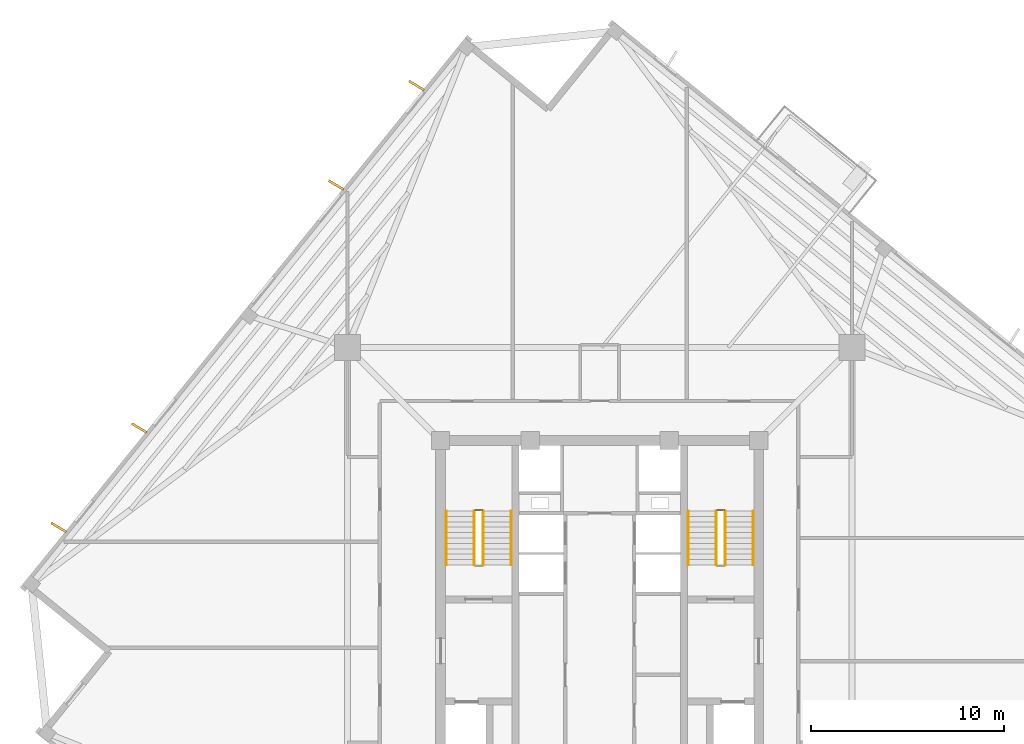
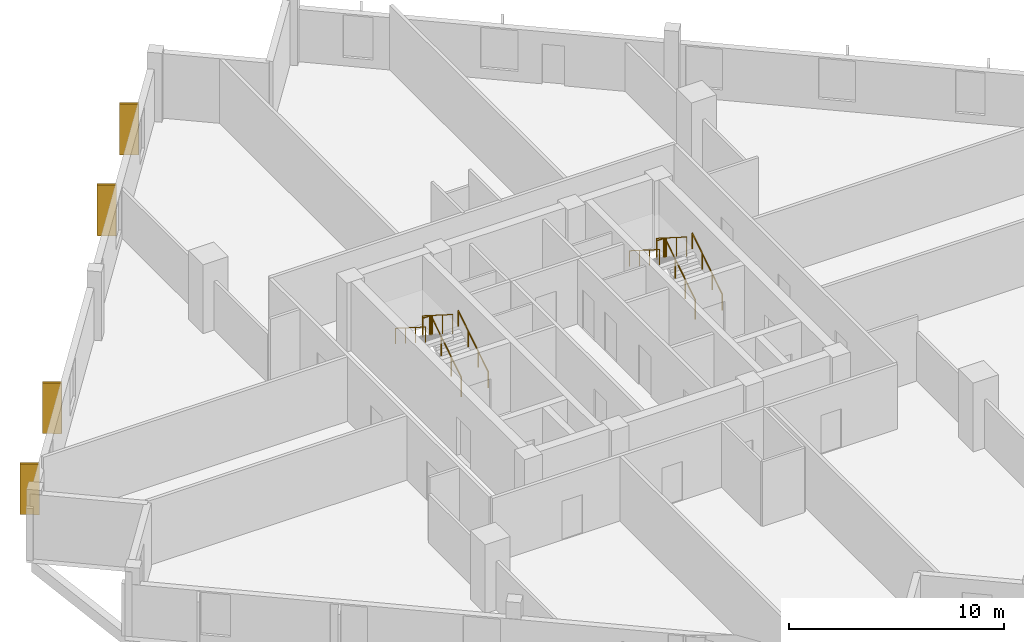
# One storey, part 9 of 10: 10 railings, 4 coverings.
"""IFC4 building model written with IfcOpenShell, lengths in metres."""

from ifc_helpers import new_model, si_unit, direction, frame, origin, origin_2d, place, context, subcontext, project, spatial, rectangle, circle, extrude, source, transform, mapped, material, layer, layer_set, type_object, element, save


model = new_model("IFC4")

# Units and contexts
model_context = context("Model", 3, precision=1e-05, world=origin(), true_north=direction((0.0, 1.0)))
body_context = subcontext(model_context, "Body", "Model", "MODEL_VIEW")
ifc_project = project(units=[si_unit("LENGTHUNIT", "METRE"), si_unit("AREAUNIT", "SQUARE_METRE"), si_unit("VOLUMEUNIT", "CUBIC_METRE"), si_unit("PLANEANGLEUNIT", "RADIAN"), si_unit("MASSUNIT", "GRAM", prefix="KILO"), si_unit("THERMODYNAMICTEMPERATUREUNIT", "KELVIN")], contexts=[model_context])

# Site, building, storey
site_placement = place(None, origin())
site = spatial("IfcSite", under=ifc_project, at=site_placement, CompositionType="ELEMENT")
building_placement = place(site_placement, origin())
building = spatial("IfcBuilding", under=site, at=building_placement, Name="Kosmvard Interchange Tower", CompositionType="ELEMENT")
storey_placement = place(building_placement, frame((0.0, 0.0, 240.699951171875)))
storey = spatial("IfcBuildingStorey", under=building, at=storey_placement, Name="L58", CompositionType="ELEMENT", Elevation=240.699951171875)

# Coverings
ifc_material_1 = material(Name="Architectural anodised aluminium", Category="aluminium")
ifc_layer = layer(ifc_material_1, 0.1201171875, Name="Architectural anodised aluminium")
ifc_layer_set = layer_set([ifc_layer], Name="Architectural anodised aluminium")
covering_type = type_object("IfcCoveringType", Name="Rotating Vertical Sun-Breaker Fin 900x120 Aluminium", PredefinedType="CLADDING", material=ifc_layer_set)
shared_shape_1 = source(origin(), body_context, "Body", "SweptSolid", [
    extrude(rectangle(XDim=0.89990234375, YDim=0.1201171875, at=origin_2d()), origin(), (0.0, 0.0, 1.0), 2.8798828125),
])
for number, where, z_axis, x_axis, name in (
    (1, (-9.494384765625, 26.650146484375, 0.0400390625), (0.0, 0.0, 1.0), (-0.856176919486, 0.516682767798, 0.0), "L58 Rotating Vertical Sun-Breaker Fin 09"),
    (2, (-13.66748046875, 21.49658203125, 0.0400390625), (0.0, 0.0, 1.0), (-0.856176919486, 0.516682767798, 0.0), "L58 Rotating Vertical Sun-Breaker Fin 10"),
    (3, (-23.86865234375, 8.8994140625, 0.0400390625), (0.0, 0.0, 1.0), (-0.856176919486, 0.516682767798, 0.0), "L58 Rotating Vertical Sun-Breaker Fin 11"),
    (4, (-28.041748046875, 3.74609375, 0.0400390625), (0.0, 0.0, 1.0), (-0.856176919486, 0.516682767798, 0.0), "L58 Rotating Vertical Sun-Breaker Fin 12"),
):
    element("IfcCovering", number, at=place(storey_placement, frame(where, z_axis=z_axis, x_axis=x_axis)), inside=storey, type_object=covering_type, Name=name, PredefinedType="CLADDING", context=body_context, shape_type="MappedRepresentation", body=[
        mapped(shared_shape_1, transform((0.0, 0.0, 0.0), scale=1.0)),
    ])

# Railings
ifc_material_2 = material(Name="Steel S355", Category="steel")
railing_type_1 = type_object("IfcRailingType", Name="Stair & Terrace Safety Guardrail 1100 Steel", PredefinedType="GUARDRAIL", material=ifc_material_2)
shared_shape_2 = source(origin(), body_context, "Body", "SweptSolid", [
    extrude(circle(Radius=0.02392578125, at=origin_2d()), frame((0.0, 0.0, 1.076171875), z_axis=(-1.0, 0.0, 0.0), x_axis=(0.0, -1.0, 0.0)), (0.0, 0.0, 1.0), 0.35986328125),
    extrude(circle(Radius=0.02099609375, at=origin_2d()), origin(), (0.0, 0.0, 1.0), 1.052001953125),
    extrude(circle(Radius=0.02099609375, at=origin_2d()), frame((-0.35986328125, 0.0, 0.0)), (0.0, 0.0, 1.0), 1.052001953125),
])
for number, where, name in (
    (5, (-6.090087890625, 4.64990234375, 1.949951171875), "L58 ST-1 stair guard 2"),
    (6, (6.449951171875, 4.64990234375, 1.949951171875), "L58 ST-2 stair guard 2"),
):
    element("IfcRailing", number, at=place(storey_placement, frame(where)), inside=storey, type_object=railing_type_1, Name=name, PredefinedType="GUARDRAIL", context=body_context, shape_type="MappedRepresentation", body=[
        mapped(shared_shape_2, transform((0.0, 0.0, 0.0), scale=1.0)),
    ])
shared_shape_3 = source(origin(), body_context, "Body", "SweptSolid", [
    extrude(circle(Radius=0.02392578125, at=origin_2d()), frame((0.0, 0.0, 1.076171875), z_axis=(0.0, 0.844908973607, 0.534910110503), x_axis=(-1.0, 0.0, 0.0)), (0.0, 0.0, 1.0), 3.31396484375),
    extrude(circle(Radius=0.02099609375, at=origin_2d()), origin(), (0.0, 0.0, 1.0), 1.052001953125),
    extrude(circle(Radius=0.02099609375, at=origin_2d()), frame((0.0, 0.933349609375, 0.5908203125)), (0.0, 0.0, 1.0), 1.052001953125),
    extrude(circle(Radius=0.02099609375, at=origin_2d()), frame((0.0, 1.86669921875, 1.181884765625)), (0.0, 0.0, 1.0), 1.052001953125),
    extrude(circle(Radius=0.02099609375, at=origin_2d()), frame((0.0, 2.800048828125, 1.772705078125)), (0.0, 0.0, 1.0), 1.052001953125),
])
for number, where, name in (
    (7, (-6.0400390625, 1.800048828125, 0.17724609375), "L58 ST-1 stair guard 1"),
    (8, (6.5, 1.800048828125, 0.17724609375), "L58 ST-2 stair guard 1"),
):
    element("IfcRailing", number, at=place(storey_placement, frame(where)), inside=storey, type_object=railing_type_1, Name=name, PredefinedType="GUARDRAIL", context=body_context, shape_type="MappedRepresentation", body=[
        mapped(shared_shape_3, transform((0.0, 0.0, 0.0), scale=1.0)),
    ])
shared_shape_4 = source(origin(), body_context, "Body", "SweptSolid", [
    extrude(circle(Radius=0.02392578125, at=origin_2d()), frame((0.0, 0.0, 1.076171875), z_axis=(0.0, -0.844908973607, 0.534910110503), x_axis=(1.0, 0.0, 0.0)), (0.0, 0.0, 1.0), 3.31396484375),
    extrude(circle(Radius=0.02099609375, at=origin_2d()), origin(), (0.0, 0.0, 1.0), 1.052001953125),
    extrude(circle(Radius=0.02099609375, at=origin_2d()), frame((0.0, -0.933349609375, 0.5908203125)), (0.0, 0.0, 1.0), 1.052001953125),
    extrude(circle(Radius=0.02099609375, at=origin_2d()), frame((0.0, -1.86669921875, 1.181884765625)), (0.0, 0.0, 1.0), 1.052001953125),
    extrude(circle(Radius=0.02099609375, at=origin_2d()), frame((0.0, -2.800048828125, 1.772705078125)), (0.0, 0.0, 1.0), 1.052001953125),
])
for number, where, name in (
    (9, (-6.5, 4.60009765625, 2.12744140625), "L58 ST-1 stair guard 3"),
    (10, (6.0400390625, 4.60009765625, 2.12744140625), "L58 ST-2 stair guard 3"),
):
    element("IfcRailing", number, at=place(storey_placement, frame(where)), inside=storey, type_object=railing_type_1, Name=name, PredefinedType="GUARDRAIL", context=body_context, shape_type="MappedRepresentation", body=[
        mapped(shared_shape_4, transform((0.0, 0.0, 0.0), scale=1.0)),
    ])
railing_type_2 = type_object("IfcRailingType", Name="Wall-Mounted Stair Handrail 900 Steel", PredefinedType="HANDRAIL", material=ifc_material_2)
shared_shape_5 = source(origin(), body_context, "Body", "SweptSolid", [
    extrude(circle(Radius=0.02392578125, at=origin_2d()), frame((0.0, 0.0, 0.8759765625), z_axis=(0.0, 0.844908973607, 0.534910110503), x_axis=(-1.0, 0.0, 0.0)), (0.0, 0.0, 1.0), 3.31396484375),
    extrude(circle(Radius=0.02099609375, at=origin_2d()), origin(), (0.0, 0.0, 1.0), 0.851806640625),
    extrude(circle(Radius=0.02099609375, at=origin_2d()), frame((0.0, 0.933349609375, 0.5908203125)), (0.0, 0.0, 1.0), 0.851806640625),
    extrude(circle(Radius=0.02099609375, at=origin_2d()), frame((0.0, 1.86669921875, 1.181884765625)), (0.0, 0.0, 1.0), 0.851806640625),
    extrude(circle(Radius=0.02099609375, at=origin_2d()), frame((0.0, 2.800048828125, 1.772705078125)), (0.0, 0.0, 1.0), 0.851806640625),
])
for number, where, name in (
    (11, (-4.590087890625, 1.800048828125, 0.17724609375), "L58 ST-1 stair handrail 1"),
    (12, (7.949951171875, 1.800048828125, 0.17724609375), "L58 ST-2 stair handrail 1"),
):
    element("IfcRailing", number, at=place(storey_placement, frame(where)), inside=storey, type_object=railing_type_2, Name=name, PredefinedType="HANDRAIL", context=body_context, shape_type="MappedRepresentation", body=[
        mapped(shared_shape_5, transform((0.0, 0.0, 0.0), scale=1.0)),
    ])
shared_shape_6 = source(origin(), body_context, "Body", "SweptSolid", [
    extrude(circle(Radius=0.02392578125, at=origin_2d()), frame((0.0, 0.0, 0.8759765625), z_axis=(0.0, -0.844908973607, 0.534910110503), x_axis=(1.0, 0.0, 0.0)), (0.0, 0.0, 1.0), 3.31396484375),
    extrude(circle(Radius=0.02099609375, at=origin_2d()), origin(), (0.0, 0.0, 1.0), 0.851806640625),
    extrude(circle(Radius=0.02099609375, at=origin_2d()), frame((0.0, -0.933349609375, 0.5908203125)), (0.0, 0.0, 1.0), 0.851806640625),
    extrude(circle(Radius=0.02099609375, at=origin_2d()), frame((0.0, -1.86669921875, 1.181884765625)), (0.0, 0.0, 1.0), 0.851806640625),
    extrude(circle(Radius=0.02099609375, at=origin_2d()), frame((0.0, -2.800048828125, 1.772705078125)), (0.0, 0.0, 1.0), 0.851806640625),
])
for number, where, name in (
    (13, (-7.949951171875, 4.60009765625, 2.12744140625), "L58 ST-1 stair handrail 2"),
    (14, (4.590087890625, 4.60009765625, 2.12744140625), "L58 ST-2 stair handrail 2"),
):
    element("IfcRailing", number, at=place(storey_placement, frame(where)), inside=storey, type_object=railing_type_2, Name=name, PredefinedType="HANDRAIL", context=body_context, shape_type="MappedRepresentation", body=[
        mapped(shared_shape_6, transform((0.0, 0.0, 0.0), scale=1.0)),
    ])

save(model, "model.ifc")
